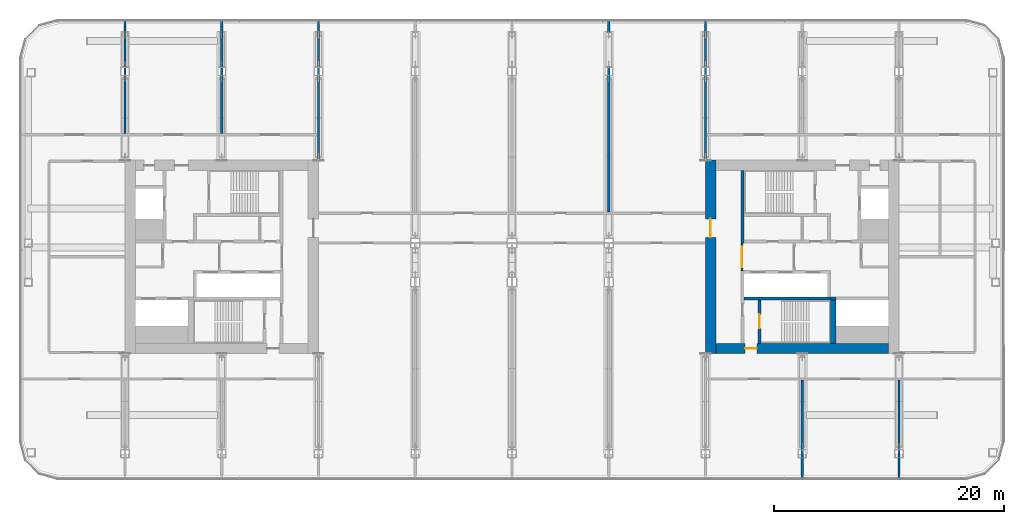
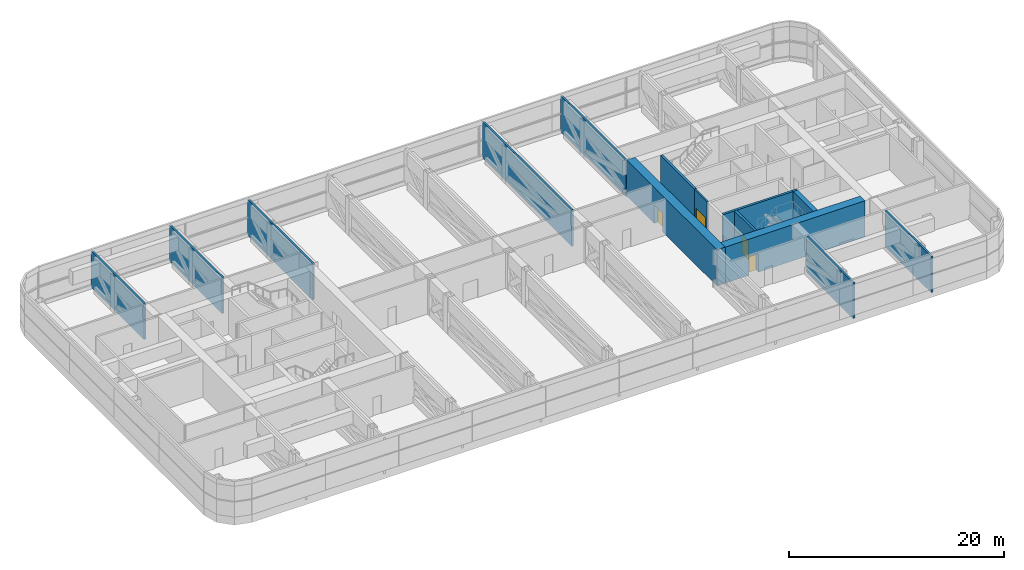
# One storey, part 17 of 33: 15 walls, 4 doors, 4 openings.
"""IFC4 building model written with IfcOpenShell, lengths in metres."""

from ifc_helpers import new_model, si_unit, direction, frame, frame_2d, origin, place, context, subcontext, project, spatial, rectangle, extrude, material, layer, layer_set, type_object, element, fill, save


model = new_model("IFC4")

# Units and contexts
model_context = context("Model", 3, precision=1e-05, world=origin(), true_north=direction((0.0, 1.0)))
body_context = subcontext(model_context, "Body", "Model", "MODEL_VIEW")
ifc_project = project(units=[si_unit("LENGTHUNIT", "METRE"), si_unit("AREAUNIT", "SQUARE_METRE"), si_unit("VOLUMEUNIT", "CUBIC_METRE"), si_unit("PLANEANGLEUNIT", "RADIAN"), si_unit("MASSUNIT", "GRAM", prefix="KILO")], contexts=[model_context])

# Site, building, storey
site_placement = place(None, origin())
site = spatial("IfcSite", under=ifc_project, at=site_placement, CompositionType="ELEMENT")
building_placement = place(site_placement, origin())
building = spatial("IfcBuilding", under=site, at=building_placement, Name="Hakoniwa Tower and Hamabe Station Hall", CompositionType="ELEMENT")
storey_placement = place(building_placement, frame((0.0, 0.0, 175.800048828125)))
storey = spatial("IfcBuildingStorey", under=building, at=storey_placement, Name="L50", CompositionType="ELEMENT", Elevation=175.800048828125)

# Wall, opening, door
ifc_material_1 = material(Name="Gypsum board partition")
ifc_layer_1 = layer(ifc_material_1, 0.14990234375)
ifc_layer_set_1 = layer_set([ifc_layer_1], Name="CORE PARTITION 150 EI 60")
wall_type_1 = type_object("IfcWallType", Name="CORE PARTITION 150 EI 60", PredefinedType="PARTITIONING", material=ifc_layer_set_1)
wall_1_placement = place(storey_placement, frame((19.97509765625, -1.199951171875, 0.0), z_axis=(0.0, 0.0, 1.0), x_axis=(0.0, 1.0, 0.0)))
wall_1 = element("IfcWall", 1, at=wall_1_placement, inside=storey, type_object=wall_type_1, Name="Core partition PL0 east", PredefinedType="PARTITIONING", context=body_context, shape_type="SweptSolid", body=[
    extrude(rectangle(XDim=2.39990234375, YDim=0.14990234375, at=frame_2d((1.199951171875, 0.0))), origin(), (0.0, 0.0, 1.0), 4.099853515625),
])
opening_1_placement = place(wall_1_placement, frame((0.300048828125, 0.0, 0.0)))
opening_1 = element("IfcOpeningElement", 2, at=opening_1_placement, cuts=wall_1, Name="Opening CD-E-LP0-18", PredefinedType="OPENING", context=body_context, shape_type="SweptSolid", body=[
    extrude(rectangle(XDim=1.800048828125, YDim=2.10009765625, at=frame_2d((0.89990234375, 1.050048828125))), frame((0.0, 0.0849609375, 0.0), z_axis=(0.0, -1.0, 0.0), x_axis=(1.0, 0.0, 0.0)), (0.0, 0.0, 1.0), 0.169921875),
])
ifc_material_2 = material(Name="Steel fire door", Category="steel")
door_type_1 = type_object("IfcDoorType", Name="CORE DOOR 1800 FD60", OperationType="DOUBLE_DOOR_SINGLE_SWING", PredefinedType="DOOR", material=ifc_material_2)
door_1_placement = place(opening_1_placement, origin())
door_1 = element("IfcDoor", 3, at=door_1_placement, inside=storey, type_object=door_type_1, Name="Lift lobby partition door", OperationType="DOUBLE_DOOR_SINGLE_SWING", OverallHeight=2.10009765625, OverallWidth=1.800048828125, PredefinedType="DOOR", context=body_context, shape_type="SweptSolid", body=[
    extrude(rectangle(XDim=1.800048828125, YDim=2.10009765625, at=frame_2d((0.89990234375, 1.050048828125))), frame((0.0, 0.02490234375, 0.0), z_axis=(0.0, -1.0, 0.0), x_axis=(1.0, 0.0, 0.0)), (0.0, 0.0, 1.0), 0.050048828125),
])
fill(opening_1, door_1)

ifc_material_3 = material(Name="Concrete C66", Category="concrete")
ifc_layer_2 = layer(ifc_material_3, 0.89990234375)
ifc_layer_set_2 = layer_set([ifc_layer_2], Name="CORE WALL 900 C66")
wall_type_2 = type_object("IfcWallType", Name="CORE WALL 900 C66", PredefinedType="SHEAR", material=ifc_layer_set_2)
wall_2_placement = place(storey_placement, frame((17.25, -8.39990234375, 0.0), z_axis=(0.0, 0.0, 1.0), x_axis=(0.0, 1.0, 0.0)))
wall_2 = element("IfcWall", 4, at=wall_2_placement, inside=storey, type_object=wall_type_2, Name="Core wall INNER east", PredefinedType="SHEAR", context=body_context, shape_type="SweptSolid", body=[
    extrude(rectangle(XDim=16.7998046875, YDim=0.89990234375, at=frame_2d((8.39990234375, 0.0))), origin(), (0.0, 0.0, 1.0), 4.099853515625),
])
opening_2_placement = place(wall_2_placement, frame((10.10009765625, 0.0, 0.0)))
opening_2 = element("IfcOpeningElement", 5, at=opening_2_placement, cuts=wall_2, Name="Opening CD-E-IN1-16", PredefinedType="OPENING", context=body_context, shape_type="SweptSolid", body=[
    extrude(rectangle(XDim=1.60009765625, YDim=2.10009765625, at=frame_2d((0.800048828125, 1.050048828125))), frame((0.0, 0.4599609375, 0.0), z_axis=(0.0, -1.0, 0.0), x_axis=(1.0, 0.0, 0.0)), (0.0, 0.0, 1.0), 0.919921875),
])
ifc_material_4 = material(Name="Steel fire door", Category="steel")
door_type_2 = type_object("IfcDoorType", Name="CORE DOOR 1600 FD60", OperationType="DOUBLE_DOOR_SINGLE_SWING", PredefinedType="DOOR", material=ifc_material_4)
door_2_placement = place(opening_2_placement, origin())
door_2 = element("IfcDoor", 6, at=door_2_placement, inside=storey, type_object=door_type_2, Name="Lift lobby door", OperationType="DOUBLE_DOOR_SINGLE_SWING", OverallHeight=2.10009765625, OverallWidth=1.60009765625, PredefinedType="DOOR", context=body_context, shape_type="SweptSolid", body=[
    extrude(rectangle(XDim=1.60009765625, YDim=2.10009765625, at=frame_2d((0.800048828125, 1.050048828125))), frame((0.0, 0.02490234375, 0.0), z_axis=(0.0, -1.0, 0.0), x_axis=(1.0, 0.0, 0.0)), (0.0, 0.0, 1.0), 0.050048828125),
])
fill(opening_2, door_2)

wall_3_placement = place(storey_placement, frame((17.699951171875, -7.949951171875, 0.0), z_axis=(0.0, 0.0, 1.0), x_axis=(1.0, 0.0, 0.0)))
wall_3 = element("IfcWall", 7, at=wall_3_placement, inside=storey, type_object=wall_type_2, Name="Core wall SOUTH east", PredefinedType="SHEAR", context=body_context, shape_type="SweptSolid", body=[
    extrude(rectangle(XDim=15.0, YDim=0.89990234375, at=frame_2d((7.5, 0.0))), origin(), (0.0, 0.0, 1.0), 4.099853515625),
])
opening_3_placement = place(wall_3_placement, frame((2.550048828125, 0.0, 0.0)))
opening_3 = element("IfcOpeningElement", 8, at=opening_3_placement, cuts=wall_3, Name="Opening CD-E-FS3-10", PredefinedType="OPENING", context=body_context, shape_type="SweptSolid", body=[
    extrude(rectangle(XDim=1.0, YDim=2.10009765625, at=frame_2d((0.5, 1.050048828125))), frame((0.0, 0.4599609375, 0.0), z_axis=(0.0, -1.0, 0.0), x_axis=(1.0, 0.0, 0.0)), (0.0, 0.0, 1.0), 0.919921875),
])
ifc_material_5 = material(Name="Steel fire door", Category="steel")
door_type_3 = type_object("IfcDoorType", Name="CORE DOOR 1000 FD60", OperationType="NOTDEFINED", PredefinedType="DOOR", material=ifc_material_5)
door_3_placement = place(opening_3_placement, origin())
door_3 = element("IfcDoor", 9, at=door_3_placement, inside=storey, type_object=door_type_3, Name="Stair vestibule door", OperationType="SINGLE_SWING_LEFT", OverallHeight=2.10009765625, OverallWidth=1.0, PredefinedType="DOOR", context=body_context, shape_type="SweptSolid", body=[
    extrude(rectangle(XDim=1.0, YDim=2.10009765625, at=frame_2d((0.5, 1.050048828125))), frame((0.0, 0.02490234375, 0.0), z_axis=(0.0, -1.0, 0.0), x_axis=(1.0, 0.0, 0.0)), (0.0, 0.0, 1.0), 0.050048828125),
])
fill(opening_3, door_3)

# Walls
ifc_material_6 = material(Name="Concrete C66", Category="concrete")
ifc_layer_3 = layer(ifc_material_6, 0.25)
ifc_layer_set_3 = layer_set([ifc_layer_3], Name="CORE WEB WALL 250 C66")
wall_type_3 = type_object("IfcWallType", Name="CORE WEB WALL 250 C66", PredefinedType="SHEAR", material=ifc_layer_set_3)
wall_4_placement = place(storey_placement, frame((20.02490234375, 1.199951171875, 0.0), z_axis=(0.0, 0.0, 1.0), x_axis=(0.0, 1.0, 0.0)))
element("IfcWall", 10, at=wall_4_placement, inside=storey, type_object=wall_type_3, Name="Core wall W1N east", PredefinedType="SHEAR", context=body_context, shape_type="SweptSolid", body=[
    extrude(rectangle(XDim=6.300048828125, YDim=0.25, at=frame_2d((3.14990234375, 0.0))), origin(), (0.0, 0.0, 1.0), 4.099853515625),
])
wall_5_placement = place(storey_placement, frame((20.14990234375, -3.625, 0.0), z_axis=(0.0, 0.0, 1.0), x_axis=(1.0, 0.0, 0.0)))
element("IfcWall", 11, at=wall_5_placement, inside=storey, type_object=wall_type_3, Name="Core wall SR east", PredefinedType="SHEAR", context=body_context, shape_type="SweptSolid", body=[
    extrude(rectangle(XDim=7.5, YDim=0.25, at=frame_2d((3.75, 0.0))), origin(), (0.0, 0.0, 1.0), 4.099853515625),
])

# Wall, opening, door
wall_6_placement = place(storey_placement, frame((21.47509765625, -7.5, 0.0), z_axis=(0.0, 0.0, 1.0), x_axis=(0.0, 1.0, 0.0)))
wall_6 = element("IfcWall", 12, at=wall_6_placement, inside=storey, type_object=wall_type_3, Name="Core wall VE east", PredefinedType="SHEAR", context=body_context, shape_type="SweptSolid", body=[
    extrude(rectangle(XDim=3.75, YDim=0.25, at=frame_2d((1.875, 0.0))), origin(), (0.0, 0.0, 1.0), 4.099853515625),
])
opening_4_placement = place(wall_6_placement, frame((1.300048828125, 0.0, 0.0)))
opening_4 = element("IfcOpeningElement", 13, at=opening_4_placement, cuts=wall_6, Name="Opening CD-E-SS-12", PredefinedType="OPENING", context=body_context, shape_type="SweptSolid", body=[
    extrude(rectangle(XDim=1.199951171875, YDim=2.10009765625, at=frame_2d((0.60009765625, 1.050048828125))), frame((0.0, 0.135009765625, 0.0), z_axis=(0.0, -1.0, 0.0), x_axis=(1.0, 0.0, 0.0)), (0.0, 0.0, 1.0), 0.27001953125),
])
ifc_material_7 = material(Name="Steel fire door", Category="steel")
door_type_4 = type_object("IfcDoorType", Name="CORE DOOR 1200 FD60", OperationType="DOUBLE_DOOR_SINGLE_SWING", PredefinedType="DOOR", material=ifc_material_7)
door_4_placement = place(opening_4_placement, origin())
door_4 = element("IfcDoor", 14, at=door_4_placement, inside=storey, type_object=door_type_4, Name="Escape stair door", OperationType="DOUBLE_DOOR_SINGLE_SWING", OverallHeight=2.10009765625, OverallWidth=1.199951171875, PredefinedType="DOOR", context=body_context, shape_type="SweptSolid", body=[
    extrude(rectangle(XDim=1.199951171875, YDim=2.10009765625, at=frame_2d((0.60009765625, 1.050048828125))), frame((0.0, 0.02490234375, 0.0), z_axis=(0.0, -1.0, 0.0), x_axis=(1.0, 0.0, 0.0)), (0.0, 0.0, 1.0), 0.050048828125),
])
fill(opening_4, door_4)

# Walls
wall_7_placement = place(storey_placement, frame((27.64990234375, -3.625, 0.0), z_axis=(0.0, 0.0, 1.0), x_axis=(1.0, 0.0, 0.0)))
element("IfcWall", 15, at=wall_7_placement, inside=storey, type_object=wall_type_3, Name="Core wall SRK east", PredefinedType="SHEAR", context=body_context, shape_type="SweptSolid", body=[
    extrude(rectangle(XDim=0.5, YDim=0.25, at=frame_2d((0.25, 0.0))), origin(), (0.0, 0.0, 1.0), 4.099853515625),
])
ifc_material_8 = material(Name="Concrete C66", Category="concrete")
ifc_layer_4 = layer(ifc_material_8, 0.5)
ifc_layer_set_4 = layer_set([ifc_layer_4], Name="CORE WEB WALL 500 C66")
wall_type_4 = type_object("IfcWallType", Name="CORE WEB WALL 500 C66", PredefinedType="SHEAR", material=ifc_layer_set_4)
wall_8_placement = place(storey_placement, frame((27.89990234375, -7.5, 0.0), z_axis=(0.0, 0.0, 1.0), x_axis=(0.0, 1.0, 0.0)))
element("IfcWall", 16, at=wall_8_placement, inside=storey, type_object=wall_type_4, Name="Core wall SSE east", PredefinedType="SHEAR", context=body_context, shape_type="SweptSolid", body=[
    extrude(rectangle(XDim=3.75, YDim=0.5, at=frame_2d((1.875, 0.0))), origin(), (0.0, 0.0, 1.0), 4.099853515625),
])
ifc_material_9 = material(Name="Fire-rated gypsum board partition", Category="gypsum")
ifc_layer_5 = layer(ifc_material_9, 0.199951171875)
ifc_layer_set_5 = layer_set([ifc_layer_5], Name="Party Wall 200")
wall_type_5 = type_object("IfcWallType", Name="Party Wall 200", PredefinedType="PARTITIONING", material=ifc_layer_set_5)
for number, where, z_axis, x_axis, name in (
    (17, (-33.60009765625, 10.699951171875, 0.0), (0.0, 0.0, 1.0), (0.0, 1.0, 0.0), "GW-L50-015"),
    (18, (-25.199951171875, 10.699951171875, 0.0), (0.0, 0.0, 1.0), (0.0, 1.0, 0.0), "GW-L50-017"),
):
    element("IfcWall", number, at=place(storey_placement, frame(where, z_axis=z_axis, x_axis=x_axis)), inside=storey, type_object=wall_type_5, Name=name, PredefinedType="PARTITIONING", context=body_context, shape_type="SweptSolid", body=[
        extrude(rectangle(XDim=9.85009765625, YDim=0.199951171875, at=frame_2d((4.925048828125, 0.0))), origin(), (0.0, 0.0, 1.0), 4.099853515625),
    ])
wall_9_placement = place(storey_placement, frame((-16.800048828125, 8.389892578125, 0.0), z_axis=(0.0, 0.0, 1.0), x_axis=(0.0, 1.0, 0.0)))
element("IfcWall", 19, at=wall_9_placement, inside=storey, type_object=wall_type_5, Name="GW-L50-019", PredefinedType="PARTITIONING", context=body_context, shape_type="SweptSolid", body=[
    extrude(rectangle(XDim=12.16015625, YDim=0.199951171875, at=frame_2d((6.080078125, 0.0))), origin(), (0.0, 0.0, 1.0), 4.099853515625),
])
wall_10_placement = place(storey_placement, frame((8.39990234375, 3.89990234375, 0.0), z_axis=(0.0, 0.0, 1.0), x_axis=(0.0, 1.0, 0.0)))
element("IfcWall", 20, at=wall_10_placement, inside=storey, type_object=wall_type_5, Name="GW-L50-025", PredefinedType="PARTITIONING", context=body_context, shape_type="SweptSolid", body=[
    extrude(rectangle(XDim=16.650146484375, YDim=0.199951171875, at=frame_2d((8.3251953125, 0.0))), origin(), (0.0, 0.0, 1.0), 4.099853515625),
])
wall_11_placement = place(storey_placement, frame((16.800048828125, 8.389892578125, 0.0), z_axis=(0.0, 0.0, 1.0), x_axis=(0.0, 1.0, 0.0)))
element("IfcWall", 21, at=wall_11_placement, inside=storey, type_object=wall_type_5, Name="GW-L50-027", PredefinedType="PARTITIONING", context=body_context, shape_type="SweptSolid", body=[
    extrude(rectangle(XDim=12.16015625, YDim=0.199951171875, at=frame_2d((6.080078125, 0.0))), origin(), (0.0, 0.0, 1.0), 4.099853515625),
])
for number, where, z_axis, x_axis, name in (
    (22, (25.199951171875, -19.300048828125, 0.0), (0.0, 0.0, 1.0), (0.0, 1.0, 0.0), "GW-L50-028"),
    (23, (33.60009765625, -19.300048828125, 0.0), (0.0, 0.0, 1.0), (0.0, 1.0, 0.0), "GW-L50-030"),
):
    element("IfcWall", number, at=place(storey_placement, frame(where, z_axis=z_axis, x_axis=x_axis)), inside=storey, type_object=wall_type_5, Name=name, PredefinedType="PARTITIONING", context=body_context, shape_type="SweptSolid", body=[
        extrude(rectangle(XDim=8.60009765625, YDim=0.199951171875, at=frame_2d((4.300048828125, 0.0))), origin(), (0.0, 0.0, 1.0), 4.099853515625),
    ])

save(model, "model.ifc")
